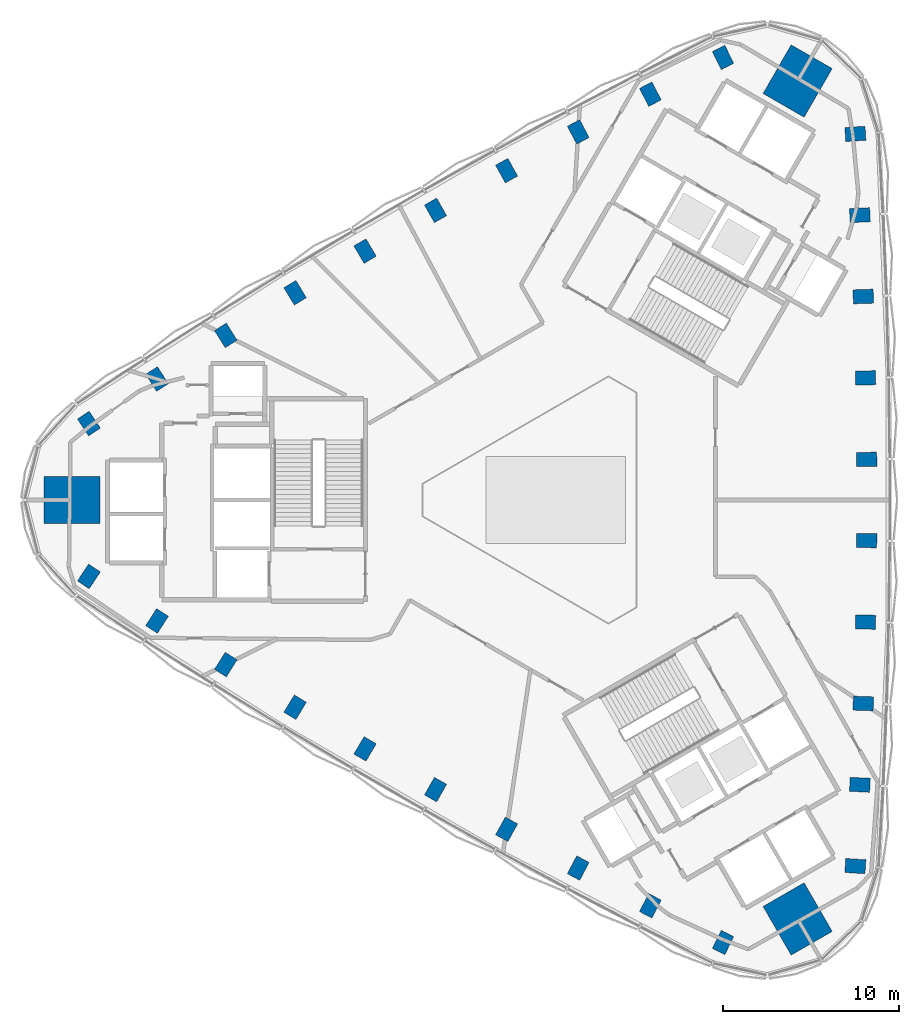
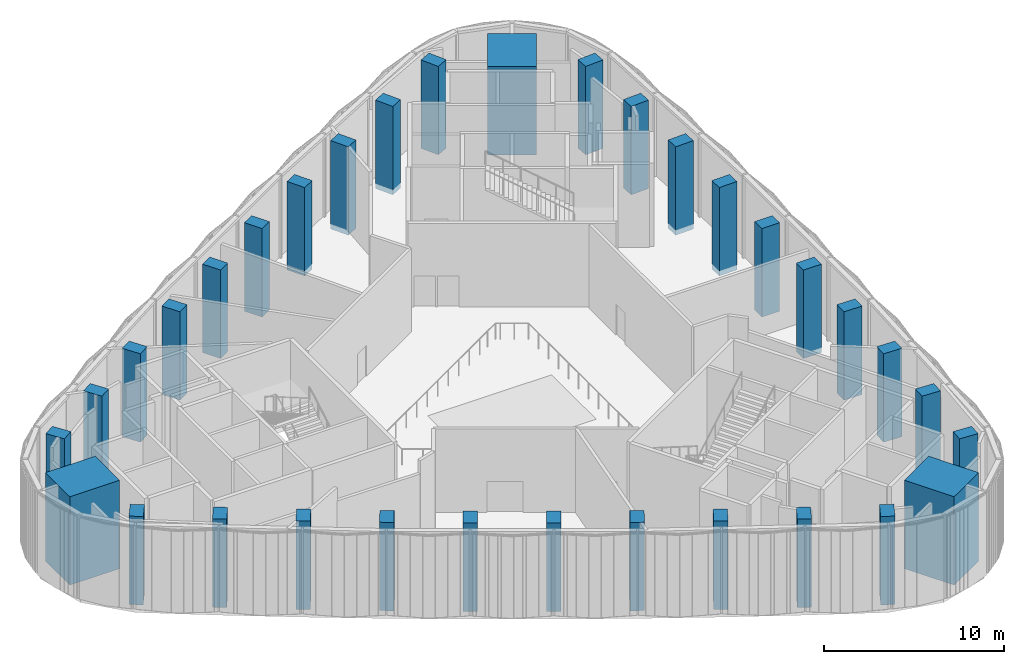
# One storey, part 1 of 14: 33 columns.
"""IFC4 building model written with IfcOpenShell, lengths in metres."""

from ifc_helpers import new_model, si_unit, direction, frame, origin, origin_2d, place, context, subcontext, project, spatial, rectangle, extrude, material, material_profile, profile_set, type_object, element, save


model = new_model("IFC4")

# Units and contexts
model_context = context("Model", 3, precision=1e-05, world=origin(), true_north=direction((0.0, 1.0)))
body_context = subcontext(model_context, "Body", "Model", "MODEL_VIEW")
ifc_project = project(units=[si_unit("LENGTHUNIT", "METRE"), si_unit("AREAUNIT", "SQUARE_METRE"), si_unit("VOLUMEUNIT", "CUBIC_METRE"), si_unit("PLANEANGLEUNIT", "RADIAN"), si_unit("MASSUNIT", "GRAM", prefix="KILO")], contexts=[model_context])

# Site, building, storey
site_placement = place(None, origin())
site = spatial("IfcSite", under=ifc_project, at=site_placement, CompositionType="ELEMENT")
building_placement = place(site_placement, origin())
building = spatial("IfcBuilding", under=site, at=building_placement, Name="Tamra Quay Hotel Tower", CompositionType="ELEMENT")
storey_placement = place(building_placement, frame((0.0, 0.0, 169.60009765625)))
storey = spatial("IfcBuildingStorey", under=building, at=storey_placement, Name="L42", CompositionType="ELEMENT", Elevation=169.60009765625)

# Columns
ifc_material = material(Name="Concrete M70", Category="concrete")
ifc_material_profile_1 = material_profile(ifc_material, rectangle(XDim=1.14990234375, YDim=0.800048828125, at=origin_2d()), Name="COLUMN RC 800x1150 Z4")
ifc_profile_set_1 = profile_set([ifc_material_profile_1], Name="Concrete M70")
column_type_1 = type_object("IfcColumnType", Name="COLUMN RC 800x1150 Z4", PredefinedType="COLUMN", material=ifc_profile_set_1)
for number, where, z_axis, x_axis, name in (
    (1, (17.069580078125, -20.856201171875, -0.35009765625), (0.0, 0.0, 1.0), (-0.998081035395, 0.061921295089, 0.0), "COL-C4E01-L42"),
    (2, (17.326416015625, -16.2255859375, -0.35009765625), (0.0, 0.0, 1.0), (-0.998830734492, 0.048344222345, 0.0), "COL-C4E02-L42"),
    (3, (17.519287109375, -11.592041015625, -0.35009765625), (0.0, 0.0, 1.0), (-0.999411600314, 0.034299462929, 0.0), "COL-C4E03-L42"),
    (4, (17.648193359375, -6.955810546875, -0.35009765625), (0.0, 0.0, 1.0), (-0.99977704996, 0.021115169271, 0.0), "COL-C4E04-L42"),
    (5, (17.71240234375, -2.318603515625, -0.35009765625), (0.0, 0.0, 1.0), (-0.999975214668, 0.007040600034, 0.0), "COL-C4E05-L42"),
    (6, (17.71240234375, 2.318603515625, -0.35009765625), (0.0, 0.0, 1.0), (0.999975214668, 0.007040600034, 0.0), "COL-C4E06-L42"),
    (7, (17.648193359375, 6.955810546875, -0.35009765625), (0.0, 0.0, 1.0), (0.99977704996, 0.021115169271, 0.0), "COL-C4E07-L42"),
    (8, (17.519287109375, 11.592041015625, -0.35009765625), (0.0, 0.0, 1.0), (0.999411600314, 0.034299462929, 0.0), "COL-C4E08-L42"),
    (9, (17.326416015625, 16.2255859375, -0.35009765625), (0.0, 0.0, 1.0), (0.998830734492, 0.048344222345, 0.0), "COL-C4E09-L42"),
    (10, (17.069580078125, 20.856201171875, -0.35009765625), (0.0, 0.0, 1.0), (0.998081035395, 0.061921295089, 0.0), "COL-C4E10-L42"),
    (11, (9.527099609375, 25.210693359375, -0.35009765625), (0.0, 0.0, 1.0), (-0.445415103115, 0.895324179232, 0.0), "COL-C4NW01-L42"),
    (12, (5.388427734375, 23.117919921875, -0.35009765625), (0.0, 0.0, 1.0), (-0.457548042569, 0.889184901323, 0.0), "COL-C4NW02-L42"),
    (13, (1.279296875, 20.96826171875, -0.35009765625), (0.0, 0.0, 1.0), (-0.470001593924, 0.882665566174, 0.0), "COL-C4NW03-L42"),
    (14, (-2.80029296875, 18.76171875, -0.35009765625), (0.0, 0.0, 1.0), (-0.481602251986, 0.876389908021, 0.0), "COL-C4NW04-L42"),
    (15, (-6.84814453125, 16.498779296875, -0.35009765625), (0.0, 0.0, 1.0), (-0.493890268847, 0.869524239075, 0.0), "COL-C4NW05-L42"),
    (16, (-10.8642578125, 14.18017578125, -0.35009765625), (0.0, 0.0, 1.0), (-0.506084945822, 0.862483639041, 0.0), "COL-C4NW06-L42"),
    (17, (-14.847900390625, 11.805908203125, -0.35009765625), (0.0, 0.0, 1.0), (-0.518174797974, 0.855274738751, 0.0), "COL-C4NW07-L42"),
    (18, (-18.798583984375, 9.376220703125, -0.35009765625), (0.0, 0.0, 1.0), (-0.52941000639, 0.848366103245, 0.0), "COL-C4NW08-L42"),
    (19, (-22.71484375, 6.892333984375, -0.35009765625), (0.0, 0.0, 1.0), (-0.541282691923, 0.840840678978, 0.0), "COL-C4NW09-L42"),
    (20, (-26.5966796875, 4.3544921875, -0.35009765625), (0.0, 0.0, 1.0), (-0.55266593228, 0.833402884143, 0.0), "COL-C4NW10-L42"),
    (21, (-26.5966796875, -4.3544921875, -0.35009765625), (0.0, 0.0, 1.0), (0.55266593228, 0.833402884143, 0.0), "COL-C4SW01-L42"),
    (22, (-22.71484375, -6.892333984375, -0.35009765625), (0.0, 0.0, 1.0), (0.541282691923, 0.840840678978, 0.0), "COL-C4SW02-L42"),
    (23, (-18.798583984375, -9.376220703125, -0.35009765625), (0.0, 0.0, 1.0), (0.52941000639, 0.848366103245, 0.0), "COL-C4SW03-L42"),
    (24, (-14.847900390625, -11.805908203125, -0.35009765625), (0.0, 0.0, 1.0), (0.518174797974, 0.855274738751, 0.0), "COL-C4SW04-L42"),
    (25, (-10.8642578125, -14.18017578125, -0.35009765625), (0.0, 0.0, 1.0), (0.506084945822, 0.862483639041, 0.0), "COL-C4SW05-L42"),
    (26, (-6.84814453125, -16.498779296875, -0.35009765625), (0.0, 0.0, 1.0), (0.493890268847, 0.869524239075, 0.0), "COL-C4SW06-L42"),
    (27, (-2.80029296875, -18.76171875, -0.35009765625), (0.0, 0.0, 1.0), (0.481602251986, 0.876389908021, 0.0), "COL-C4SW07-L42"),
    (28, (1.279296875, -20.96826171875, -0.35009765625), (0.0, 0.0, 1.0), (0.470001593924, 0.882665566174, 0.0), "COL-C4SW08-L42"),
    (29, (5.388427734375, -23.117919921875, -0.35009765625), (0.0, 0.0, 1.0), (0.457548042569, 0.889184901323, 0.0), "COL-C4SW09-L42"),
    (30, (9.527099609375, -25.210693359375, -0.35009765625), (0.0, 0.0, 1.0), (0.445415103115, 0.895324179232, 0.0), "COL-C4SW10-L42"),
):
    element("IfcColumn", number, at=place(storey_placement, frame(where, z_axis=z_axis, x_axis=x_axis)), inside=storey, type_object=column_type_1, Name=name, PredefinedType="COLUMN", context=body_context, shape_type="SweptSolid", body=[
        extrude(rectangle(XDim=1.14990234375, YDim=0.800048828125, at=origin_2d()), origin(), (0.0, 0.0, 1.0), 6.0),
    ])
ifc_material_profile_2 = material_profile(ifc_material, rectangle(XDim=3.199951171875, YDim=2.699951171875, at=origin_2d()), Name="MEGA COLUMN RC 2700x3200 Z4")
ifc_profile_set_2 = profile_set([ifc_material_profile_2], Name="Concrete M70")
column_type_2 = type_object("IfcColumnType", Name="MEGA COLUMN RC 2700x3200 Z4", PredefinedType="COLUMN", material=ifc_profile_set_2)
for number, where, z_axis, x_axis, name in (
    (31, (13.779541015625, 23.86669921875, -0.35009765625), (0.0, 0.0, 1.0), (0.5, 0.866025403784, 0.0), "COL-M4NE-L42"),
    (32, (-27.55908203125, 0.0, -0.35009765625), (0.0, 0.0, 1.0), (1.0, 0.0, 0.0), "COL-M4W-L42"),
    (33, (13.779541015625, -23.86669921875, -0.35009765625), (0.0, 0.0, 1.0), (-0.5, 0.866025403784, 0.0), "COL-M4SE-L42"),
):
    element("IfcColumn", number, at=place(storey_placement, frame(where, z_axis=z_axis, x_axis=x_axis)), inside=storey, type_object=column_type_2, Name=name, PredefinedType="COLUMN", context=body_context, shape_type="SweptSolid", body=[
        extrude(rectangle(XDim=3.199951171875, YDim=2.699951171875, at=origin_2d()), origin(), (0.0, 0.0, 1.0), 6.0),
    ])

save(model, "model.ifc")
